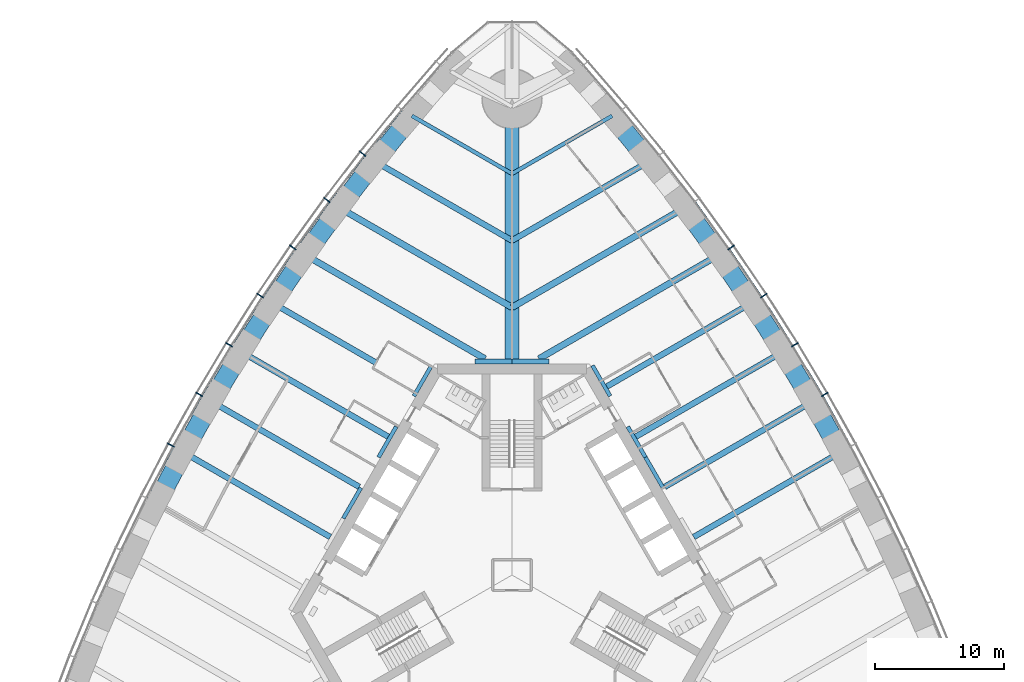
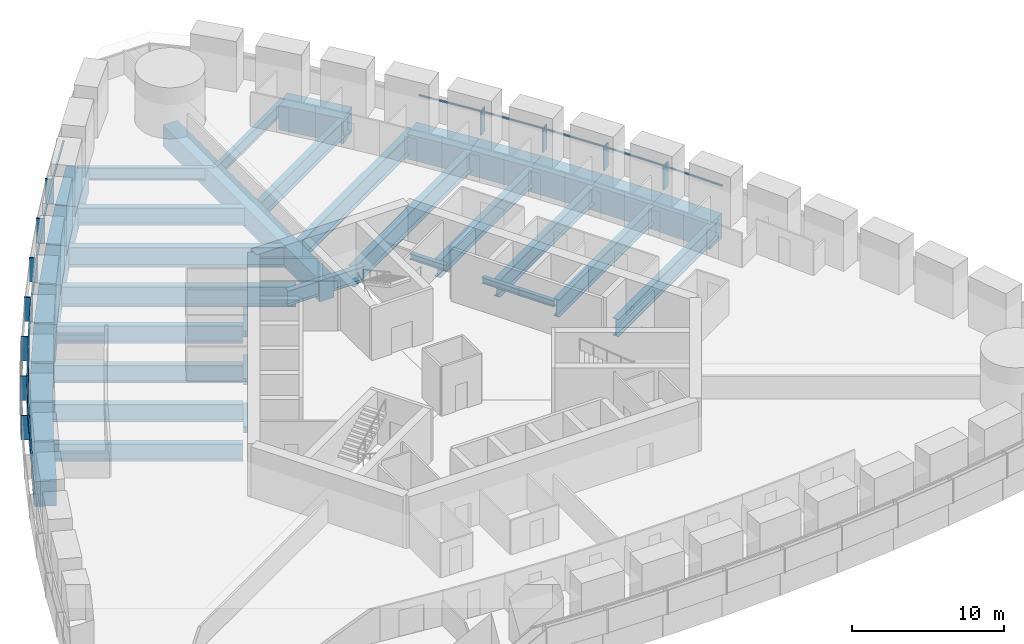
# One storey, part 4 of 18: 39 beams, 24 members, 2 elements without a shape of their own.
"""IFC4 building model written with IfcOpenShell, lengths in metres."""

from ifc_helpers import new_model, si_unit, direction, frame, origin, origin_2d, place, context, subcontext, project, spatial, rectangle, i_section, extrude, material, material_profile, profile_set, type_object, element, aggregate, save


model = new_model("IFC4")

# Units and contexts
model_context = context("Model", 3, precision=1e-05, world=origin(), true_north=direction((0.0, 1.0)))
body_context = subcontext(model_context, "Body", "Model", "MODEL_VIEW")
ifc_project = project(units=[si_unit("LENGTHUNIT", "METRE"), si_unit("AREAUNIT", "SQUARE_METRE"), si_unit("VOLUMEUNIT", "CUBIC_METRE"), si_unit("PLANEANGLEUNIT", "RADIAN"), si_unit("MASSUNIT", "GRAM", prefix="KILO")], contexts=[model_context])

# Site, building, storey
site_placement = place(None, origin())
site = spatial("IfcSite", under=ifc_project, at=site_placement, CompositionType="ELEMENT")
building_placement = place(site_placement, origin())
building = spatial("IfcBuilding", under=site, at=building_placement, Name="Trefoil Bronze Tower", CompositionType="ELEMENT")
storey_placement = place(building_placement, frame((0.0, 0.0, 87.89990234375)))
storey = spatial("IfcBuildingStorey", under=building, at=storey_placement, Name="L20", CompositionType="ELEMENT", Elevation=87.89990234375)

# Curtain wall, members
ifc_material_1 = material(Name="Tinted solar-control glass", Category="glass")
curtain_wall_type = type_object("IfcCurtainWallType", Name="Bronze office curtain wall", PredefinedType="USERDEFINED", material=ifc_material_1)
curtain_wall_1_placement = place(storey_placement, origin())
curtain_wall_1 = element("IfcCurtainWall", 1, at=curtain_wall_1_placement, inside=storey, type_object=curtain_wall_type, Name="CW-A L20 F2", ObjectType="CURTAIN WALL", PredefinedType="USERDEFINED")
ifc_material_2 = material(Name="Bronze-finish aluminium", Category="aluminium")
ifc_material_profile_1 = material_profile(ifc_material_2, rectangle(XDim=0.60009765625, YDim=0.080078125, at=origin_2d()), Name="CW-A mullion")
ifc_profile_set_1 = profile_set([ifc_material_profile_1], Name="Bronze-finish aluminium")
member_type_1 = type_object("IfcMemberType", Name="Bronze office curtain wall mullion", PredefinedType="MULLION", material=ifc_profile_set_1)
member_1_placement = place(storey_placement, frame((24.291015625, 14.0244140625, 0.0), z_axis=(0.0, 0.0, 1.0), x_axis=(-0.866025403784, -0.5, 0.0)))
member_1 = element("IfcMember", 2, at=member_1_placement, type_object=member_type_1, Name="CW-A L20 F2 mullion 9", PredefinedType="MULLION", context=body_context, shape_type="SweptSolid", body=[
    extrude(rectangle(XDim=0.60009765625, YDim=0.080078125, at=origin_2d()), origin(), (0.0, 0.0, 1.0), 1.9501953125),
])
member_2_placement = place(storey_placement, frame((21.97998046875, 17.896240234375, 0.0), z_axis=(0.0, 0.0, 1.0), x_axis=(-0.851149783004, -0.524922896141, 0.0)))
member_2 = element("IfcMember", 3, at=member_2_placement, type_object=member_type_1, Name="CW-A L20 F2 mullion 10", PredefinedType="MULLION", context=body_context, shape_type="SweptSolid", body=[
    extrude(rectangle(XDim=0.60009765625, YDim=0.080078125, at=origin_2d()), origin(), (0.0, 0.0, 1.0), 1.9501953125),
])
member_3_placement = place(storey_placement, frame((19.555419921875, 21.70263671875, 0.0), z_axis=(0.0, 0.0, 1.0), x_axis=(-0.835543651684, -0.549424067665, 0.0)))
member_3 = element("IfcMember", 4, at=member_3_placement, type_object=member_type_1, Name="CW-A L20 F2 mullion 11", PredefinedType="MULLION", context=body_context, shape_type="SweptSolid", body=[
    extrude(rectangle(XDim=0.60009765625, YDim=0.080078125, at=origin_2d()), origin(), (0.0, 0.0, 1.0), 1.9501953125),
])
member_4_placement = place(storey_placement, frame((17.01708984375, 25.443359375, 0.0), z_axis=(0.0, 0.0, 1.0), x_axis=(-0.819204207116, -0.573501932903, 0.0)))
member_4 = element("IfcMember", 5, at=member_4_placement, type_object=member_type_1, Name="CW-A L20 F2 mullion 12", PredefinedType="MULLION", context=body_context, shape_type="SweptSolid", body=[
    extrude(rectangle(XDim=0.60009765625, YDim=0.080078125, at=origin_2d()), origin(), (0.0, 0.0, 1.0), 1.9501953125),
])

curtain_wall_2_placement = place(storey_placement, origin())
curtain_wall_2 = element("IfcCurtainWall", 6, at=curtain_wall_2_placement, inside=storey, type_object=curtain_wall_type, Name="CW-A L20 F3", ObjectType="CURTAIN WALL", PredefinedType="USERDEFINED")
member_5_placement = place(storey_placement, frame((-11.595458984375, 32.7255859375, 0.0), z_axis=(0.0, 0.0, 1.0), x_axis=(0.784304615744, -0.620375910011, 0.0)))
member_5 = element("IfcMember", 7, at=member_5_placement, type_object=member_type_1, Name="CW-A L20 F3 mullion 4", PredefinedType="MULLION", context=body_context, shape_type="SweptSolid", body=[
    extrude(rectangle(XDim=0.60009765625, YDim=0.080078125, at=origin_2d()), origin(), (0.0, 0.0, 1.0), 1.9501953125),
])
member_6_placement = place(storey_placement, frame((-14.364013671875, 29.117919921875, 0.0), z_axis=(0.0, 0.0, 1.0), x_axis=(0.802126748469, -0.59715381552, 0.0)))
member_6 = element("IfcMember", 8, at=member_6_placement, type_object=member_type_1, Name="CW-A L20 F3 mullion 5", PredefinedType="MULLION", context=body_context, shape_type="SweptSolid", body=[
    extrude(rectangle(XDim=0.60009765625, YDim=0.080078125, at=origin_2d()), origin(), (0.0, 0.0, 1.0), 1.9501953125),
])
member_7_placement = place(storey_placement, frame((-17.01708984375, 25.443359375, 0.0), z_axis=(0.0, 0.0, 1.0), x_axis=(0.819204207116, -0.573501932903, 0.0)))
member_7 = element("IfcMember", 9, at=member_7_placement, type_object=member_type_1, Name="CW-A L20 F3 mullion 6", PredefinedType="MULLION", context=body_context, shape_type="SweptSolid", body=[
    extrude(rectangle(XDim=0.60009765625, YDim=0.080078125, at=origin_2d()), origin(), (0.0, 0.0, 1.0), 1.9501953125),
])
member_8_placement = place(storey_placement, frame((-19.555419921875, 21.70263671875, 0.0), z_axis=(0.0, 0.0, 1.0), x_axis=(0.835543651684, -0.549424067665, 0.0)))
member_8 = element("IfcMember", 10, at=member_8_placement, type_object=member_type_1, Name="CW-A L20 F3 mullion 7", PredefinedType="MULLION", context=body_context, shape_type="SweptSolid", body=[
    extrude(rectangle(XDim=0.60009765625, YDim=0.080078125, at=origin_2d()), origin(), (0.0, 0.0, 1.0), 1.9501953125),
])
member_9_placement = place(storey_placement, frame((-21.97998046875, 17.896240234375, 0.0), z_axis=(0.0, 0.0, 1.0), x_axis=(0.851149783004, -0.524922896141, 0.0)))
member_9 = element("IfcMember", 11, at=member_9_placement, type_object=member_type_1, Name="CW-A L20 F3 mullion 8", PredefinedType="MULLION", context=body_context, shape_type="SweptSolid", body=[
    extrude(rectangle(XDim=0.60009765625, YDim=0.080078125, at=origin_2d()), origin(), (0.0, 0.0, 1.0), 1.9501953125),
])
member_10_placement = place(storey_placement, frame((-24.291015625, 14.0244140625, 0.0), z_axis=(0.0, 0.0, 1.0), x_axis=(0.866025403784, -0.5, 0.0)))
member_10 = element("IfcMember", 12, at=member_10_placement, type_object=member_type_1, Name="CW-A L20 F3 mullion 9", PredefinedType="MULLION", context=body_context, shape_type="SweptSolid", body=[
    extrude(rectangle(XDim=0.60009765625, YDim=0.080078125, at=origin_2d()), origin(), (0.0, 0.0, 1.0), 1.9501953125),
])
member_11_placement = place(storey_placement, frame((-26.488525390625, 10.0869140625, 0.0), z_axis=(0.0, 0.0, 1.0), x_axis=(0.880171454588, -0.474655886437, 0.0)))
member_11 = element("IfcMember", 13, at=member_11_placement, type_object=member_type_1, Name="CW-A L20 F3 mullion 10", PredefinedType="MULLION", context=body_context, shape_type="SweptSolid", body=[
    extrude(rectangle(XDim=0.60009765625, YDim=0.080078125, at=origin_2d()), origin(), (0.0, 0.0, 1.0), 1.9501953125),
])

# Member
ifc_material_3 = material(Name="Bronze-finish aluminium", Category="aluminium")
ifc_material_profile_2 = material_profile(ifc_material_3, rectangle(XDim=0.1201171875, YDim=0.10009765625, at=origin_2d()), Name="CW-A transom")
ifc_profile_set_2 = profile_set([ifc_material_profile_2], Name="Bronze-finish aluminium")
member_type_2 = type_object("IfcMemberType", Name="Bronze office curtain wall transom", PredefinedType="USERDEFINED", material=ifc_profile_set_2)
member_12_placement = place(storey_placement, frame((26.29248046875, 10.0283203125, 1.900146484375), z_axis=(-0.487400435348, 0.873178570295, 0.0), x_axis=(-0.873178570295, -0.487400435348, 0.0)))
member_12 = element("IfcMember", 14, at=member_12_placement, type_object=member_type_2, Name="CW-A L20 F2 transom 8", ObjectType="TRANSOM", PredefinedType="USERDEFINED", context=body_context, shape_type="SweptSolid", body=[
    extrude(rectangle(XDim=0.1201171875, YDim=0.10009765625, at=origin_2d()), origin(), (0.0, 0.0, 1.0), 4.42041015625),
])

member_13_placement = place(storey_placement, frame((24.096435546875, 13.9599609375, 1.900146484375), z_axis=(-0.512536988879, 0.858665147209, 0.0), x_axis=(-0.858665147209, -0.512536988879, 0.0)))
member_13 = element("IfcMember", 15, at=member_13_placement, type_object=member_type_2, Name="CW-A L20 F2 transom 9", ObjectType="TRANSOM", PredefinedType="USERDEFINED", context=body_context, shape_type="SweptSolid", body=[
    extrude(rectangle(XDim=0.1201171875, YDim=0.10009765625, at=origin_2d()), origin(), (0.0, 0.0, 1.0), 4.42041015625),
])

member_14_placement = place(storey_placement, frame((21.787353515625, 17.826171875, 1.900146484375), z_axis=(-0.537196807268, 0.843456928515, 0.0), x_axis=(-0.843456928515, -0.537196807268, 0.0)))
member_14 = element("IfcMember", 16, at=member_14_placement, type_object=member_type_2, Name="CW-A L20 F2 transom 10", ObjectType="TRANSOM", PredefinedType="USERDEFINED", context=body_context, shape_type="SweptSolid", body=[
    extrude(rectangle(XDim=0.1201171875, YDim=0.10009765625, at=origin_2d()), origin(), (0.0, 0.0, 1.0), 4.42431640625),
])

member_15_placement = place(storey_placement, frame((19.364990234375, 21.627197265625, 1.900146484375), z_axis=(-0.561508153923, 0.827471203775, 0.0), x_axis=(-0.827471203775, -0.561508153923, 0.0)))
member_15 = element("IfcMember", 17, at=member_15_placement, type_object=member_type_2, Name="CW-A L20 F2 transom 11", ObjectType="TRANSOM", PredefinedType="USERDEFINED", context=body_context, shape_type="SweptSolid", body=[
    extrude(rectangle(XDim=0.1201171875, YDim=0.10009765625, at=origin_2d()), origin(), (0.0, 0.0, 1.0), 4.431884765625),
])

member_16_placement = place(storey_placement, frame((16.828857421875, 25.3623046875, 1.900146484375), z_axis=(-0.585378207433, 0.81076035563, 0.0), x_axis=(-0.81076035563, -0.585378207433, 0.0)))
member_16 = element("IfcMember", 18, at=member_16_placement, type_object=member_type_2, Name="CW-A L20 F2 transom 12", ObjectType="TRANSOM", PredefinedType="USERDEFINED", context=body_context, shape_type="SweptSolid", body=[
    extrude(rectangle(XDim=0.1201171875, YDim=0.10009765625, at=origin_2d()), origin(), (0.0, 0.0, 1.0), 4.443359375),
])

aggregate(curtain_wall_1, [member_1, member_2, member_3, member_4, member_12, member_13, member_14, member_15, member_16])

member_17_placement = place(storey_placement, frame((-8.582763671875, 36.10498046875, 1.900146484375), z_axis=(-0.631835540201, -0.775102477185, 0.0), x_axis=(0.775102477185, -0.631835540201, 0.0)))
member_17 = element("IfcMember", 19, at=member_17_placement, type_object=member_type_2, Name="CW-A L20 F3 transom 3", ObjectType="TRANSOM", PredefinedType="USERDEFINED", context=body_context, shape_type="SweptSolid", body=[
    extrude(rectangle(XDim=0.1201171875, YDim=0.10009765625, at=origin_2d()), origin(), (0.0, 0.0, 1.0), 4.478271484375),
])

member_18_placement = place(storey_placement, frame((-11.4638671875, 32.568603515625, 1.900146484375), z_axis=(-0.608829203216, -0.793301330713, 0.0), x_axis=(0.793301330713, -0.608829203216, 0.0)))
member_18 = element("IfcMember", 20, at=member_18_placement, type_object=member_type_2, Name="CW-A L20 F3 transom 4", ObjectType="TRANSOM", PredefinedType="USERDEFINED", context=body_context, shape_type="SweptSolid", body=[
    extrude(rectangle(XDim=0.1201171875, YDim=0.10009765625, at=origin_2d()), origin(), (0.0, 0.0, 1.0), 4.458740234375),
])

member_19_placement = place(storey_placement, frame((-14.227783203125, 28.96484375, 1.900146484375), z_axis=(-0.585378207433, -0.81076035563, 0.0), x_axis=(0.81076035563, -0.585378207433, 0.0)))
member_19 = element("IfcMember", 21, at=member_19_placement, type_object=member_type_2, Name="CW-A L20 F3 transom 5", ObjectType="TRANSOM", PredefinedType="USERDEFINED", context=body_context, shape_type="SweptSolid", body=[
    extrude(rectangle(XDim=0.1201171875, YDim=0.10009765625, at=origin_2d()), origin(), (0.0, 0.0, 1.0), 4.443359375),
])

member_20_placement = place(storey_placement, frame((-16.87646484375, 25.29443359375, 1.900146484375), z_axis=(-0.561508153923, -0.827471203775, 0.0), x_axis=(0.827471203775, -0.561508153923, 0.0)))
member_20 = element("IfcMember", 22, at=member_20_placement, type_object=member_type_2, Name="CW-A L20 F3 transom 6", ObjectType="TRANSOM", PredefinedType="USERDEFINED", context=body_context, shape_type="SweptSolid", body=[
    extrude(rectangle(XDim=0.1201171875, YDim=0.10009765625, at=origin_2d()), origin(), (0.0, 0.0, 1.0), 4.431884765625),
])

member_21_placement = place(storey_placement, frame((-19.41064453125, 21.557861328125, 1.900146484375), z_axis=(-0.537196807268, -0.843456928515, 0.0), x_axis=(0.843456928515, -0.537196807268, 0.0)))
member_21 = element("IfcMember", 23, at=member_21_placement, type_object=member_type_2, Name="CW-A L20 F3 transom 7", ObjectType="TRANSOM", PredefinedType="USERDEFINED", context=body_context, shape_type="SweptSolid", body=[
    extrude(rectangle(XDim=0.1201171875, YDim=0.10009765625, at=origin_2d()), origin(), (0.0, 0.0, 1.0), 4.42431640625),
])

member_22_placement = place(storey_placement, frame((-21.830810546875, 17.755615234375, 1.900146484375), z_axis=(-0.512536988879, -0.858665147209, 0.0), x_axis=(0.858665147209, -0.512536988879, 0.0)))
member_22 = element("IfcMember", 24, at=member_22_placement, type_object=member_type_2, Name="CW-A L20 F3 transom 8", ObjectType="TRANSOM", PredefinedType="USERDEFINED", context=body_context, shape_type="SweptSolid", body=[
    extrude(rectangle(XDim=0.1201171875, YDim=0.10009765625, at=origin_2d()), origin(), (0.0, 0.0, 1.0), 4.42041015625),
])

member_23_placement = place(storey_placement, frame((-24.137939453125, 13.88818359375, 1.900146484375), z_axis=(-0.487400435348, -0.873178570295, 0.0), x_axis=(0.873178570295, -0.487400435348, 0.0)))
member_23 = element("IfcMember", 25, at=member_23_placement, type_object=member_type_2, Name="CW-A L20 F3 transom 9", ObjectType="TRANSOM", PredefinedType="USERDEFINED", context=body_context, shape_type="SweptSolid", body=[
    extrude(rectangle(XDim=0.1201171875, YDim=0.10009765625, at=origin_2d()), origin(), (0.0, 0.0, 1.0), 4.42041015625),
])

member_24_placement = place(storey_placement, frame((-26.331787109375, 9.955322265625, 1.900146484375), z_axis=(-0.461809621225, -0.886979071762, 0.0), x_axis=(0.886979071762, -0.461809621225, 0.0)))
member_24 = element("IfcMember", 26, at=member_24_placement, type_object=member_type_2, Name="CW-A L20 F3 transom 10", ObjectType="TRANSOM", PredefinedType="USERDEFINED", context=body_context, shape_type="SweptSolid", body=[
    extrude(rectangle(XDim=0.1201171875, YDim=0.10009765625, at=origin_2d()), origin(), (0.0, 0.0, 1.0), 4.42431640625),
])

aggregate(curtain_wall_2, [member_5, member_6, member_7, member_8, member_9, member_10, member_11, member_17, member_18, member_19, member_20, member_21, member_22, member_23, member_24])

# Beams
ifc_material_4 = material(Name="Steel C355", Category="steel")
ifc_material_profile_3 = material_profile(ifc_material_4, i_section(OverallWidth=0.300048828125, OverallDepth=0.5, WebThickness=0.014404296875, FlangeThickness=0.028076171875, FilletRadius=0.027099609375, at=origin_2d()), Name="HEB 500")
ifc_profile_set_3 = profile_set([ifc_material_profile_3], Name="Steel C355")
beam_type_1 = type_object("IfcBeamType", Name="Core seat beam HEB 500", PredefinedType="BEAM", material=ifc_profile_set_3)
for number, where, z_axis, x_axis, name in (
    (27, (11.734619140625, 6.77490234375, -0.449951171875), (-0.499969057507, 0.866043267704, 0.0), (-0.866043267704, -0.499969057507, 0.0), "Core seat beam F2/+0 L20"),
    (28, (10.363525390625, 9.14990234375, -0.449951171875), (-0.500035825175, 0.866004719122, 0.0), (-0.866004719122, -0.500035825175, 0.0), "Core seat beam F2/+1 L20"),
    (29, (7.62109375, 13.89990234375, -0.449951171875), (-0.500035825175, 0.866004719122, 0.0), (-0.866004719122, -0.500035825175, 0.0), "Core seat beam F2/+2 L20"),
    (30, (-6.249755859375, 16.27490234375, -0.449951171875), (-0.500035825175, -0.866004719122, 0.0), (0.866004719122, -0.500035825175, 0.0), "Core seat beam F3/-2 L20"),
    (31, (-8.9921875, 11.52490234375, -0.449951171875), (-0.500035825175, -0.866004719122, 0.0), (0.866004719122, -0.500035825175, 0.0), "Core seat beam F3/-1 L20"),
    (32, (-11.734619140625, 6.77490234375, -0.449951171875), (-0.500035825175, -0.866004719122, 0.0), (0.866004719122, -0.500035825175, 0.0), "Core seat beam F3/+0 L20"),
):
    element("IfcBeam", number, at=place(storey_placement, frame(where, z_axis=z_axis, x_axis=x_axis)), inside=storey, type_object=beam_type_1, Name=name, PredefinedType="BEAM", context=body_context, shape_type="SweptSolid", body=[
        extrude(i_section(OverallWidth=0.300048828125, OverallDepth=0.5, WebThickness=0.014404296875, FlangeThickness=0.028076171875, FilletRadius=0.027099609375, at=origin_2d()), origin(), (0.0, 0.0, 1.0), 2.742431640625),
    ])
ifc_material_5 = material(Name="Steel C355", Category="steel")
ifc_material_profile_4 = material_profile(ifc_material_5, i_section(OverallWidth=0.39990234375, OverallDepth=1.199951171875, WebThickness=0.02001953125, FlangeThickness=0.0400390625, FilletRadius=0.010009765625, at=origin_2d()), Name="WPG 1200")
ifc_profile_set_4 = profile_set([ifc_material_profile_4], Name="Steel C355")
beam_type_2 = type_object("IfcBeamType", Name="Core seat beam WPG 1200", PredefinedType="BEAM", material=ifc_profile_set_4)
for number, where, z_axis, x_axis, name in (
    (33, (2.88671875, 16.60009765625, -0.7998046875), (-1.0, 0.0, 0.0), (0.0, -1.0, 0.0), "Core seat beam F2/+3 L20"),
    (34, (0.0, 16.60009765625, -0.7998046875), (-1.0, 0.0, 0.0), (0.0, -1.0, 0.0), "Core seat beam F3/-3 L20"),
):
    element("IfcBeam", number, at=place(storey_placement, frame(where, z_axis=z_axis, x_axis=x_axis)), inside=storey, type_object=beam_type_2, Name=name, PredefinedType="BEAM", context=body_context, shape_type="SweptSolid", body=[
        extrude(i_section(OverallWidth=0.39990234375, OverallDepth=1.199951171875, WebThickness=0.02001953125, FlangeThickness=0.0400390625, FilletRadius=0.010009765625, at=origin_2d()), origin(), (0.0, 0.0, 1.0), 2.88671875),
    ])
ifc_material_6 = material(Name="Concrete B80", Category="concrete")
ifc_material_profile_5 = material_profile(ifc_material_6, rectangle(XDim=1.10009765625, YDim=1.699951171875, at=origin_2d()), Name="RC 1100x1700")
ifc_profile_set_5 = profile_set([ifc_material_profile_5], Name="Concrete B80")
beam_type_3 = type_object("IfcBeamType", Name="Corner girder RC 1100x1700", PredefinedType="BEAM", material=ifc_profile_set_5)
beam_1_placement = place(storey_placement, frame((0.0, 16.39990234375, -1.0498046875), z_axis=(0.0, 1.0, 0.0), x_axis=(-1.0, 0.0, 0.0)))
element("IfcBeam", 35, at=beam_1_placement, inside=storey, type_object=beam_type_3, Name="Corner girder K2 L20", PredefinedType="BEAM", context=body_context, shape_type="SweptSolid", body=[
    extrude(rectangle(XDim=1.10009765625, YDim=1.699951171875, at=origin_2d()), origin(), (0.0, 0.0, 1.0), 20.60009765625),
])
ifc_material_7 = material(Name="Steel C355", Category="steel")
ifc_material_profile_6 = material_profile(ifc_material_7, i_section(OverallWidth=0.302001953125, OverallDepth=1.008056640625, WebThickness=0.02099609375, FlangeThickness=0.0400390625, FilletRadius=0.030029296875, at=origin_2d()), Name="HEM 1000")
ifc_profile_set_6 = profile_set([ifc_material_profile_6], Name="Steel C355")
beam_type_4 = type_object("IfcBeamType", Name="Floor beam HEM 1000", PredefinedType="BEAM", material=ifc_profile_set_6)
for number, where, z_axis, x_axis, name in (
    (36, (7.7763671875, 35.666748046875, -0.703857421875), (-0.866022587327, -0.500004878216, 0.0), (0.500004878216, -0.866022587327, 0.0), "Floor beam F2/+6 L20"),
    (37, (-7.7763671875, 35.666748046875, -0.703857421875), (0.866022587327, -0.500004878216, 0.0), (0.500004878216, 0.866022587327, 0.0), "Floor beam F3/-6 L20"),
):
    element("IfcBeam", number, at=place(storey_placement, frame(where, z_axis=z_axis, x_axis=x_axis)), inside=storey, type_object=beam_type_4, Name=name, PredefinedType="BEAM", context=body_context, shape_type="SweptSolid", body=[
        extrude(i_section(OverallWidth=0.302001953125, OverallDepth=1.008056640625, WebThickness=0.02099609375, FlangeThickness=0.0400390625, FilletRadius=0.030029296875, at=origin_2d()), origin(), (0.0, 0.0, 1.0), 8.9794921875),
    ])
ifc_material_8 = material(Name="Steel C355", Category="steel")
ifc_material_profile_7 = material_profile(ifc_material_8, i_section(OverallWidth=0.449951171875, OverallDepth=1.39990234375, WebThickness=0.02294921875, FlangeThickness=0.044921875, FilletRadius=0.011962890625, at=origin_2d()), Name="WPG 1400")
ifc_profile_set_7 = profile_set([ifc_material_profile_7], Name="Steel C355")
beam_type_5 = type_object("IfcBeamType", Name="Floor beam WPG 1400", PredefinedType="BEAM", material=ifc_profile_set_7)
beam_2_placement = place(storey_placement, frame((25.531494140625, 9.54443359375, -0.89990234375), z_axis=(-0.866027071639, -0.499997111179, 0.0), x_axis=(0.499997111179, -0.866027071639, 0.0)))
element("IfcBeam", 38, at=beam_2_placement, inside=storey, type_object=beam_type_5, Name="Floor beam F2/-1 L20", PredefinedType="BEAM", context=body_context, shape_type="SweptSolid", body=[
    extrude(i_section(OverallWidth=0.449951171875, OverallDepth=1.39990234375, WebThickness=0.02294921875, FlangeThickness=0.044921875, FilletRadius=0.011962890625, at=origin_2d()), origin(), (0.0, 0.0, 1.0), 13.18310546875),
])
beam_3_placement = place(storey_placement, frame((23.33837890625, 13.474365234375, -0.89990234375), z_axis=(-0.866031233401, -0.499989902672, 0.0), x_axis=(0.499989902672, -0.866031233401, 0.0)))
element("IfcBeam", 39, at=beam_3_placement, inside=storey, type_object=beam_type_5, Name="Floor beam F2/+0 L20", PredefinedType="BEAM", context=body_context, shape_type="SweptSolid", body=[
    extrude(i_section(OverallWidth=0.449951171875, OverallDepth=1.39990234375, WebThickness=0.02294921875, FlangeThickness=0.044921875, FilletRadius=0.011962890625, at=origin_2d()), origin(), (0.0, 0.0, 1.0), 13.248779296875),
])
beam_4_placement = place(storey_placement, frame((21.031494140625, 17.338623046875, -0.89990234375), z_axis=(-0.866027071639, -0.499997111179, 0.0), x_axis=(0.499997111179, -0.866027071639, 0.0)))
element("IfcBeam", 40, at=beam_4_placement, inside=storey, type_object=beam_type_5, Name="Floor beam F2/+1 L20", PredefinedType="BEAM", context=body_context, shape_type="SweptSolid", body=[
    extrude(i_section(OverallWidth=0.449951171875, OverallDepth=1.39990234375, WebThickness=0.02294921875, FlangeThickness=0.044921875, FilletRadius=0.011962890625, at=origin_2d()), origin(), (0.0, 0.0, 1.0), 13.18310546875),
])
beam_5_placement = place(storey_placement, frame((18.61083984375, 21.13720703125, -0.89990234375), z_axis=(-0.866030615021, -0.499990973765, 0.0), x_axis=(0.499990973765, -0.866030615021, 0.0)))
element("IfcBeam", 41, at=beam_5_placement, inside=storey, type_object=beam_type_5, Name="Floor beam F2/+2 L20", PredefinedType="BEAM", context=body_context, shape_type="SweptSolid", body=[
    extrude(i_section(OverallWidth=0.449951171875, OverallDepth=1.39990234375, WebThickness=0.02294921875, FlangeThickness=0.044921875, FilletRadius=0.011962890625, at=origin_2d()), origin(), (0.0, 0.0, 1.0), 12.986083984375),
])
for number, where, z_axis, x_axis, name in (
    (42, (10.659912109375, 32.13525390625, -0.89990234375), (-0.866024070878, -0.500002308654, 0.0), (0.500002308654, -0.866024070878, 0.0), "Floor beam F2/+5 L20"),
    (43, (-10.659912109375, 32.13525390625, -0.89990234375), (0.866024070878, -0.500002308654, 0.0), (0.500002308654, 0.866024070878, 0.0), "Floor beam F3/-5 L20"),
):
    element("IfcBeam", number, at=place(storey_placement, frame(where, z_axis=z_axis, x_axis=x_axis)), inside=storey, type_object=beam_type_5, Name=name, PredefinedType="BEAM", context=body_context, shape_type="SweptSolid", body=[
        extrude(i_section(OverallWidth=0.449951171875, OverallDepth=1.39990234375, WebThickness=0.02294921875, FlangeThickness=0.044921875, FilletRadius=0.011962890625, at=origin_2d()), origin(), (0.0, 0.0, 1.0), 12.30908203125),
    ])
beam_6_placement = place(storey_placement, frame((-18.61083984375, 21.13720703125, -0.89990234375), z_axis=(0.866030615021, -0.499990973765, 0.0), x_axis=(0.499990973765, 0.866030615021, 0.0)))
element("IfcBeam", 44, at=beam_6_placement, inside=storey, type_object=beam_type_5, Name="Floor beam F3/-2 L20", PredefinedType="BEAM", context=body_context, shape_type="SweptSolid", body=[
    extrude(i_section(OverallWidth=0.449951171875, OverallDepth=1.39990234375, WebThickness=0.02294921875, FlangeThickness=0.044921875, FilletRadius=0.011962890625, at=origin_2d()), origin(), (0.0, 0.0, 1.0), 12.986083984375),
])
beam_7_placement = place(storey_placement, frame((-21.031494140625, 17.338623046875, -0.89990234375), z_axis=(0.866027071639, -0.499997111179, 0.0), x_axis=(0.499997111179, 0.866027071639, 0.0)))
element("IfcBeam", 45, at=beam_7_placement, inside=storey, type_object=beam_type_5, Name="Floor beam F3/-1 L20", PredefinedType="BEAM", context=body_context, shape_type="SweptSolid", body=[
    extrude(i_section(OverallWidth=0.449951171875, OverallDepth=1.39990234375, WebThickness=0.02294921875, FlangeThickness=0.044921875, FilletRadius=0.011962890625, at=origin_2d()), origin(), (0.0, 0.0, 1.0), 13.18310546875),
])
beam_8_placement = place(storey_placement, frame((-23.33837890625, 13.474365234375, -0.89990234375), z_axis=(0.866031233401, -0.499989902672, 0.0), x_axis=(0.499989902672, 0.866031233401, 0.0)))
element("IfcBeam", 46, at=beam_8_placement, inside=storey, type_object=beam_type_5, Name="Floor beam F3/+0 L20", PredefinedType="BEAM", context=body_context, shape_type="SweptSolid", body=[
    extrude(i_section(OverallWidth=0.449951171875, OverallDepth=1.39990234375, WebThickness=0.02294921875, FlangeThickness=0.044921875, FilletRadius=0.011962890625, at=origin_2d()), origin(), (0.0, 0.0, 1.0), 13.248779296875),
])
beam_9_placement = place(storey_placement, frame((-25.531494140625, 9.54443359375, -0.89990234375), z_axis=(0.866027071639, -0.499997111179, 0.0), x_axis=(0.499997111179, 0.866027071639, 0.0)))
element("IfcBeam", 47, at=beam_9_placement, inside=storey, type_object=beam_type_5, Name="Floor beam F3/+1 L20", PredefinedType="BEAM", context=body_context, shape_type="SweptSolid", body=[
    extrude(i_section(OverallWidth=0.449951171875, OverallDepth=1.39990234375, WebThickness=0.02294921875, FlangeThickness=0.044921875, FilletRadius=0.011962890625, at=origin_2d()), origin(), (0.0, 0.0, 1.0), 13.18310546875),
])
ifc_material_9 = material(Name="Steel C355", Category="steel")
ifc_material_profile_8 = material_profile(ifc_material_9, i_section(OverallWidth=0.5, OverallDepth=1.60009765625, WebThickness=0.02587890625, FlangeThickness=0.050048828125, FilletRadius=0.011962890625, at=origin_2d()), Name="WPG 1600")
ifc_profile_set_8 = profile_set([ifc_material_profile_8], Name="Steel C355")
beam_type_6 = type_object("IfcBeamType", Name="Floor beam WPG 1600", PredefinedType="BEAM", material=ifc_profile_set_8)
beam_10_placement = place(storey_placement, frame((16.075927734375, 24.869873046875, -1.0), z_axis=(-0.866028401131, -0.499994808408, 0.0), x_axis=(0.499994808408, -0.866028401131, 0.0)))
element("IfcBeam", 48, at=beam_10_placement, inside=storey, type_object=beam_type_6, Name="Floor beam F2/+3 L20", PredefinedType="BEAM", context=body_context, shape_type="SweptSolid", body=[
    extrude(i_section(OverallWidth=0.5, OverallDepth=1.60009765625, WebThickness=0.02587890625, FlangeThickness=0.050048828125, FilletRadius=0.011962890625, at=origin_2d()), origin(), (0.0, 0.0, 1.0), 16.139892578125),
])
for number, where, z_axis, x_axis, name in (
    (49, (13.42578125, 28.5361328125, -1.0), (-0.866022989816, -0.500004181093, 0.0), (0.500004181093, -0.866022989816, 0.0), "Floor beam F2/+4 L20"),
    (50, (-13.42578125, 28.5361328125, -1.0), (0.866022989816, -0.500004181093, 0.0), (0.500004181093, 0.866022989816, 0.0), "Floor beam F3/-4 L20"),
):
    element("IfcBeam", number, at=place(storey_placement, frame(where, z_axis=z_axis, x_axis=x_axis)), inside=storey, type_object=beam_type_6, Name=name, PredefinedType="BEAM", context=body_context, shape_type="SweptSolid", body=[
        extrude(i_section(OverallWidth=0.5, OverallDepth=1.60009765625, WebThickness=0.02587890625, FlangeThickness=0.050048828125, FilletRadius=0.011962890625, at=origin_2d()), origin(), (0.0, 0.0, 1.0), 15.502685546875),
    ])
beam_11_placement = place(storey_placement, frame((-16.075927734375, 24.869873046875, -1.0), z_axis=(0.866028401131, -0.499994808408, 0.0), x_axis=(0.499994808408, 0.866028401131, 0.0)))
element("IfcBeam", 51, at=beam_11_placement, inside=storey, type_object=beam_type_6, Name="Floor beam F3/-3 L20", PredefinedType="BEAM", context=body_context, shape_type="SweptSolid", body=[
    extrude(i_section(OverallWidth=0.5, OverallDepth=1.60009765625, WebThickness=0.02587890625, FlangeThickness=0.050048828125, FilletRadius=0.011962890625, at=origin_2d()), origin(), (0.0, 0.0, 1.0), 16.139892578125),
])
ifc_material_10 = material(Name="Concrete B80", Category="concrete")
ifc_material_profile_9 = material_profile(ifc_material_10, rectangle(XDim=1.5, YDim=2.0, at=origin_2d()), Name="RC 1500x2000")
ifc_profile_set_9 = profile_set([ifc_material_profile_9], Name="Concrete B80")
beam_type_7 = type_object("IfcBeamType", Name="Spandrel beam RC 1500x2000", PredefinedType="SPANDREL", material=ifc_profile_set_9)
for number, where, z_axis, x_axis, name in (
    (52, (25.531494140625, 9.54443359375, -1.199951171875), (-0.487309404804, 0.873229376504, 0.0), (-0.873229376504, -0.487309404804, 0.0), "Spandrel F2.8 L20"),
    (53, (23.33837890625, 13.474365234375, -1.199951171875), (-0.512587831591, 0.858634797166, 0.0), (-0.858634797166, -0.512587831591, 0.0), "Spandrel F2.9 L20"),
):
    element("IfcBeam", number, at=place(storey_placement, frame(where, z_axis=z_axis, x_axis=x_axis)), inside=storey, type_object=beam_type_7, Name=name, PredefinedType="SPANDREL", context=body_context, shape_type="SweptSolid", body=[
        extrude(rectangle(XDim=1.5, YDim=2.0, at=origin_2d()), origin(), (0.0, 0.0, 1.0), 4.50048828125),
    ])
beam_12_placement = place(storey_placement, frame((21.031494140625, 17.338623046875, -1.199951171875), z_axis=(-0.537408473305, 0.843322081307, 0.0), x_axis=(-0.843322081307, -0.537408473305, 0.0)))
element("IfcBeam", 54, at=beam_12_placement, inside=storey, type_object=beam_type_7, Name="Spandrel F2.10 L20", PredefinedType="SPANDREL", context=body_context, shape_type="SweptSolid", body=[
    extrude(rectangle(XDim=1.5, YDim=2.0, at=origin_2d()), origin(), (0.0, 0.0, 1.0), 4.50439453125),
])
beam_13_placement = place(storey_placement, frame((18.61083984375, 21.13720703125, -1.199951171875), z_axis=(-0.561809680291, 0.827266512758, 0.0), x_axis=(-0.827266512758, -0.561809680291, 0.0)))
element("IfcBeam", 55, at=beam_13_placement, inside=storey, type_object=beam_type_7, Name="Spandrel F2.11 L20", PredefinedType="SPANDREL", context=body_context, shape_type="SweptSolid", body=[
    extrude(rectangle(XDim=1.5, YDim=2.0, at=origin_2d()), origin(), (0.0, 0.0, 1.0), 4.511962890625),
])
beam_14_placement = place(storey_placement, frame((16.075927734375, 24.869873046875, -1.199951171875), z_axis=(-0.585823508301, 0.810438657223, 0.0), x_axis=(-0.810438657223, -0.585823508301, 0.0)))
element("IfcBeam", 56, at=beam_14_placement, inside=storey, type_object=beam_type_7, Name="Spandrel F2.12 L20", PredefinedType="SPANDREL", context=body_context, shape_type="SweptSolid", body=[
    extrude(rectangle(XDim=1.5, YDim=2.0, at=origin_2d()), origin(), (0.0, 0.0, 1.0), 4.523681640625),
])
for number, where, z_axis, x_axis, name in (
    (57, (10.659912109375, 32.13525390625, -1.199951171875), (-0.632467643363, 0.774586780225, 0.0), (-0.774586780225, -0.632467643363, 0.0), "Spandrel F2.14 L20"),
    (58, (-7.7763671875, 35.666748046875, -1.199951171875), (-0.632467643363, -0.774586780225, 0.0), (0.774586780225, -0.632467643363, 0.0), "Spandrel F3.3 L20"),
):
    element("IfcBeam", number, at=place(storey_placement, frame(where, z_axis=z_axis, x_axis=x_axis)), inside=storey, type_object=beam_type_7, Name=name, PredefinedType="SPANDREL", context=body_context, shape_type="SweptSolid", body=[
        extrude(rectangle(XDim=1.5, YDim=2.0, at=origin_2d()), origin(), (0.0, 0.0, 1.0), 4.55908203125),
    ])
beam_15_placement = place(storey_placement, frame((-10.659912109375, 32.13525390625, -1.199951171875), z_axis=(-0.609338992146, -0.792909826305, 0.0), x_axis=(0.792909826305, -0.609338992146, 0.0)))
element("IfcBeam", 59, at=beam_15_placement, inside=storey, type_object=beam_type_7, Name="Spandrel F3.4 L20", PredefinedType="SPANDREL", context=body_context, shape_type="SweptSolid", body=[
    extrude(rectangle(XDim=1.5, YDim=2.0, at=origin_2d()), origin(), (0.0, 0.0, 1.0), 4.5390625),
])
beam_16_placement = place(storey_placement, frame((-13.42578125, 28.5361328125, -1.199951171875), z_axis=(-0.585823508301, -0.810438657223, 0.0), x_axis=(0.810438657223, -0.585823508301, 0.0)))
element("IfcBeam", 60, at=beam_16_placement, inside=storey, type_object=beam_type_7, Name="Spandrel F3.5 L20", PredefinedType="SPANDREL", context=body_context, shape_type="SweptSolid", body=[
    extrude(rectangle(XDim=1.5, YDim=2.0, at=origin_2d()), origin(), (0.0, 0.0, 1.0), 4.523681640625),
])
beam_17_placement = place(storey_placement, frame((-16.075927734375, 24.869873046875, -1.199951171875), z_axis=(-0.561809680291, -0.827266512758, 0.0), x_axis=(0.827266512758, -0.561809680291, 0.0)))
element("IfcBeam", 61, at=beam_17_placement, inside=storey, type_object=beam_type_7, Name="Spandrel F3.6 L20", PredefinedType="SPANDREL", context=body_context, shape_type="SweptSolid", body=[
    extrude(rectangle(XDim=1.5, YDim=2.0, at=origin_2d()), origin(), (0.0, 0.0, 1.0), 4.511962890625),
])
beam_18_placement = place(storey_placement, frame((-18.61083984375, 21.13720703125, -1.199951171875), z_axis=(-0.537408473305, -0.843322081307, 0.0), x_axis=(0.843322081307, -0.537408473305, 0.0)))
element("IfcBeam", 62, at=beam_18_placement, inside=storey, type_object=beam_type_7, Name="Spandrel F3.7 L20", PredefinedType="SPANDREL", context=body_context, shape_type="SweptSolid", body=[
    extrude(rectangle(XDim=1.5, YDim=2.0, at=origin_2d()), origin(), (0.0, 0.0, 1.0), 4.50439453125),
])
for number, where, z_axis, x_axis, name in (
    (63, (-21.031494140625, 17.338623046875, -1.199951171875), (-0.512587831591, -0.858634797166, 0.0), (0.858634797166, -0.512587831591, 0.0), "Spandrel F3.8 L20"),
    (64, (-23.33837890625, 13.474365234375, -1.199951171875), (-0.487309404804, -0.873229376504, 0.0), (0.873229376504, -0.487309404804, 0.0), "Spandrel F3.9 L20"),
):
    element("IfcBeam", number, at=place(storey_placement, frame(where, z_axis=z_axis, x_axis=x_axis)), inside=storey, type_object=beam_type_7, Name=name, PredefinedType="SPANDREL", context=body_context, shape_type="SweptSolid", body=[
        extrude(rectangle(XDim=1.5, YDim=2.0, at=origin_2d()), origin(), (0.0, 0.0, 1.0), 4.50048828125),
    ])
beam_19_placement = place(storey_placement, frame((-25.531494140625, 9.54443359375, -1.199951171875), z_axis=(-0.461637716615, -0.887068553495, 0.0), x_axis=(0.887068553495, -0.461637716615, 0.0)))
element("IfcBeam", 65, at=beam_19_placement, inside=storey, type_object=beam_type_7, Name="Spandrel F3.10 L20", PredefinedType="SPANDREL", context=body_context, shape_type="SweptSolid", body=[
    extrude(rectangle(XDim=1.5, YDim=2.0, at=origin_2d()), origin(), (0.0, 0.0, 1.0), 4.50439453125),
])

save(model, "model.ifc")
